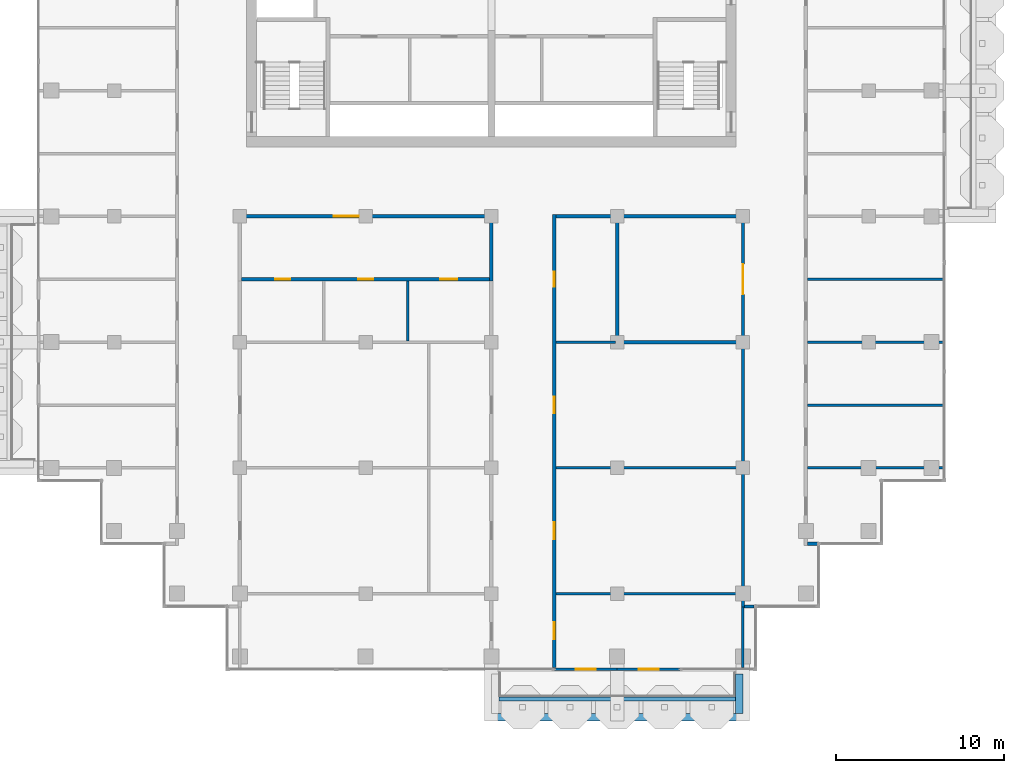
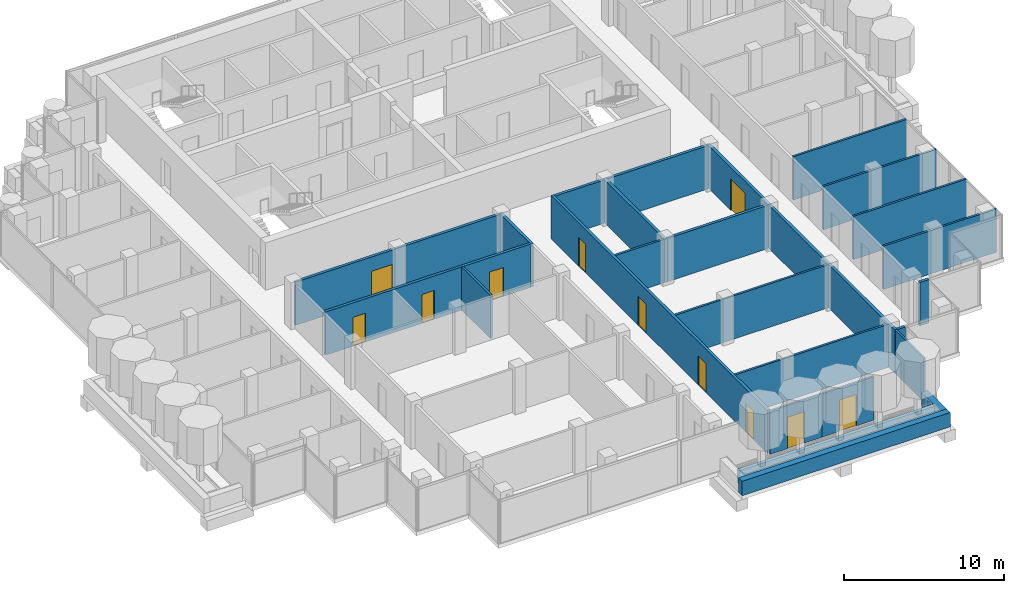
# One storey, part 12 of 19: 26 walls, 11 doors, 11 openings.
"""IFC4 building model written with IfcOpenShell, lengths in metres."""

from ifc_helpers import new_model, si_unit, direction, frame, frame_2d, origin, place, context, subcontext, project, spatial, rectangle, extrude, material, layer, layer_set, type_object, element, fill, save


model = new_model("IFC4")

# Units and contexts
model_context = context("Model", 3, precision=1e-05, world=origin(), true_north=direction((0.0, 1.0)))
body_context = subcontext(model_context, "Body", "Model", "MODEL_VIEW")
ifc_project = project(units=[si_unit("LENGTHUNIT", "METRE"), si_unit("AREAUNIT", "SQUARE_METRE"), si_unit("VOLUMEUNIT", "CUBIC_METRE"), si_unit("PLANEANGLEUNIT", "RADIAN"), si_unit("MASSUNIT", "GRAM", prefix="KILO")], contexts=[model_context])

# Site, building, storey
site_placement = place(None, origin())
site = spatial("IfcSite", under=ifc_project, at=site_placement, CompositionType="ELEMENT")
building_placement = place(site_placement, origin())
building = spatial("IfcBuilding", under=site, at=building_placement, Name="Pilkhan Gate Tower", CompositionType="ELEMENT")
storey_placement = place(building_placement, frame((0.0, 0.0, 246.300048828125)))
storey = spatial("IfcBuildingStorey", under=building, at=storey_placement, Name="L64", CompositionType="ELEMENT", Elevation=246.300048828125)

# Walls
ifc_material_1 = material(Name="Concrete C40/50", Category="concrete")
ifc_layer_1 = layer(ifc_material_1, 0.25)
ifc_layer_set_1 = layer_set([ifc_layer_1], Name="Balcony planter BP250")
wall_type_1 = type_object("IfcWallType", Name="Balcony planter BP250", PredefinedType="USERDEFINED", material=ifc_layer_set_1)
wall_1_placement = place(storey_placement, frame((75.449951171875, 38.72509765625, 0.0), z_axis=(0.0, 0.0, 1.0), x_axis=(1.0, 0.0, 0.0)))
element("IfcWall", 1, at=wall_1_placement, inside=storey, type_object=wall_type_1, Name="Balcony planter L64 S", ObjectType="BALCONY PLANTER", PredefinedType="USERDEFINED", context=body_context, shape_type="SweptSolid", body=[
    extrude(rectangle(XDim=14.10009765625, YDim=0.25, at=frame_2d((7.050048828125, 0.0))), origin(), (0.0, 0.0, 1.0), 1.0),
])
ifc_material_2 = material(Name="Board-marked Concrete C40/50", Category="concrete")
ifc_layer_2 = layer(ifc_material_2, 0.449951171875)
ifc_layer_set_2 = layer_set([ifc_layer_2], Name="Balcony planter lip BL450")
wall_type_2 = type_object("IfcWallType", Name="Balcony planter lip BL450", PredefinedType="USERDEFINED", material=ifc_layer_set_2)
wall_2_placement = place(storey_placement, frame((75.0, 37.625, 0.0), z_axis=(0.0, 0.0, 1.0), x_axis=(1.0, 0.0, 0.0)))
element("IfcWall", 2, at=wall_2_placement, inside=storey, type_object=wall_type_2, Name="Balcony planter L64 S", ObjectType="BALCONY PLANTER", PredefinedType="USERDEFINED", context=body_context, shape_type="SweptSolid", body=[
    extrude(rectangle(XDim=15.0, YDim=0.449951171875, at=frame_2d((7.5, 0.0))), origin(), (0.0, 0.0, 1.0), 1.099853515625),
])
wall_3_placement = place(storey_placement, frame((89.77490234375, 40.199951171875, 0.0), z_axis=(0.0, 0.0, 1.0), x_axis=(0.0, -1.0, 0.0)))
element("IfcWall", 3, at=wall_3_placement, inside=storey, type_object=wall_type_2, Name="Balcony planter L64 S", ObjectType="BALCONY PLANTER", PredefinedType="USERDEFINED", context=body_context, shape_type="SweptSolid", body=[
    extrude(rectangle(XDim=2.349853515625, YDim=0.449951171875, at=frame_2d((1.1748046875, 0.0))), origin(), (0.0, 0.0, 1.0), 1.099853515625),
])
ifc_material_3 = material(Name="Dense blockwork", Category="masonry")
ifc_layer_3 = layer(ifc_material_3, 0.199951171875)
ifc_layer_set_3 = layer_set([ifc_layer_3], Name="Corridor wall FW200")
wall_type_3 = type_object("IfcWallType", Name="Corridor wall FW200", PredefinedType="PARTITIONING", material=ifc_layer_set_3)
wall_4_placement = place(storey_placement, frame((90.10009765625, 44.235107421875, 0.0), z_axis=(0.0, 0.0, 1.0), x_axis=(1.0, 0.0, 0.0)))
element("IfcWall", 4, at=wall_4_placement, inside=storey, type_object=wall_type_3, Name="Partition L64", PredefinedType="PARTITIONING", context=body_context, shape_type="SweptSolid", body=[
    extrude(rectangle(XDim=0.544921875, YDim=0.199951171875, at=frame_2d((0.2724609375, 0.0))), origin(), (0.0, 0.0, 1.0), 3.300048828125),
])
wall_5_placement = place(storey_placement, frame((93.85009765625, 47.969970703125, 0.0), z_axis=(0.0, 0.0, 1.0), x_axis=(1.0, 0.0, 0.0)))
element("IfcWall", 5, at=wall_5_placement, inside=storey, type_object=wall_type_3, Name="Partition L64", PredefinedType="PARTITIONING", context=body_context, shape_type="SweptSolid", body=[
    extrude(rectangle(XDim=0.664794921875, YDim=0.199951171875, at=frame_2d((0.33251953125, 0.0))), origin(), (0.0, 0.0, 1.0), 3.300048828125),
])
wall_6_placement = place(storey_placement, frame((78.85009765625, 67.5, 0.0), z_axis=(0.0, 0.0, 1.0), x_axis=(1.0, 0.0, 0.0)))
element("IfcWall", 6, at=wall_6_placement, inside=storey, type_object=wall_type_3, Name="Partition L64", PredefinedType="PARTITIONING", context=body_context, shape_type="SweptSolid", body=[
    extrude(rectangle(XDim=3.5498046875, YDim=0.199951171875, at=frame_2d((1.77490234375, 0.0))), origin(), (0.0, 0.0, 1.0), 3.300048828125),
])

# Wall, openings, doors
wall_7_placement = place(storey_placement, frame((78.75, 40.5849609375, 0.0), z_axis=(0.0, 0.0, 1.0), x_axis=(0.0, 1.0, 0.0)))
wall_7 = element("IfcWall", 7, at=wall_7_placement, inside=storey, type_object=wall_type_3, Name="Partition L64", PredefinedType="PARTITIONING", context=body_context, shape_type="SweptSolid", body=[
    extrude(rectangle(XDim=27.01513671875, YDim=0.199951171875, at=frame_2d((13.507568359375, 0.0))), origin(), (0.0, 0.0, 1.0), 3.300048828125),
])
opening_1_placement = place(wall_7_placement, frame((1.699951171875, 0.0, 0.0)))
opening_1 = element("IfcOpeningElement", 8, at=opening_1_placement, cuts=wall_7, Name="Opening L64-21", PredefinedType="OPENING", context=body_context, shape_type="SweptSolid", body=[
    extrude(rectangle(XDim=1.0, YDim=2.199951171875, at=frame_2d((0.5, 1.10009765625))), frame((0.0, 0.10986328125, 0.0), z_axis=(0.0, -1.0, 0.0), x_axis=(1.0, 0.0, 0.0)), (0.0, 0.0, 1.0), 0.219970703125),
])
opening_2_placement = place(wall_7_placement, frame((7.6650390625, 0.0, 0.0)))
opening_2 = element("IfcOpeningElement", 9, at=opening_2_placement, cuts=wall_7, Name="Opening L64-22", PredefinedType="OPENING", context=body_context, shape_type="SweptSolid", body=[
    extrude(rectangle(XDim=1.0, YDim=2.199951171875, at=frame_2d((0.5, 1.10009765625))), frame((0.0, 0.10986328125, 0.0), z_axis=(0.0, -1.0, 0.0), x_axis=(1.0, 0.0, 0.0)), (0.0, 0.0, 1.0), 0.219970703125),
])
opening_3_placement = place(wall_7_placement, frame((15.1650390625, 0.0, 0.0)))
opening_3 = element("IfcOpeningElement", 10, at=opening_3_placement, cuts=wall_7, Name="Opening L64-23", PredefinedType="OPENING", context=body_context, shape_type="SweptSolid", body=[
    extrude(rectangle(XDim=1.0, YDim=2.199951171875, at=frame_2d((0.5, 1.10009765625))), frame((0.0, 0.10986328125, 0.0), z_axis=(0.0, -1.0, 0.0), x_axis=(1.0, 0.0, 0.0)), (0.0, 0.0, 1.0), 0.219970703125),
])
opening_4_placement = place(wall_7_placement, frame((22.715087890625, 0.0, 0.0)))
opening_4 = element("IfcOpeningElement", 11, at=opening_4_placement, cuts=wall_7, Name="Opening L64-24", PredefinedType="OPENING", context=body_context, shape_type="SweptSolid", body=[
    extrude(rectangle(XDim=0.89990234375, YDim=2.199951171875, at=frame_2d((0.449951171875, 1.10009765625))), frame((0.0, 0.10986328125, 0.0), z_axis=(0.0, -1.0, 0.0), x_axis=(1.0, 0.0, 0.0)), (0.0, 0.0, 1.0), 0.219970703125),
])
ifc_material_4 = material(Name="Timber flush door, 30 minute fire resisting", Category="wood")
door_type_1 = type_object("IfcDoorType", Name="Room door D03 1000x2200", OperationType="SINGLE_SWING_LEFT", PredefinedType="DOOR", material=ifc_material_4)
door_1_placement = place(opening_1_placement, origin())
door_1 = element("IfcDoor", 12, at=door_1_placement, inside=storey, type_object=door_type_1, Name="Room door", OperationType="SINGLE_SWING_RIGHT", OverallHeight=2.199951171875, OverallWidth=1.0, PredefinedType="DOOR", context=body_context, shape_type="SweptSolid", body=[
    extrude(rectangle(XDim=1.0, YDim=2.199951171875, at=frame_2d((0.5, 1.10009765625))), frame((0.0, 0.02490234375, 0.0), z_axis=(0.0, -1.0, 0.0), x_axis=(1.0, 0.0, 0.0)), (0.0, 0.0, 1.0), 0.050048828125),
])
fill(opening_1, door_1)
door_2_placement = place(opening_2_placement, origin())
door_2 = element("IfcDoor", 13, at=door_2_placement, inside=storey, type_object=door_type_1, Name="Room door", OperationType="SINGLE_SWING_LEFT", OverallHeight=2.199951171875, OverallWidth=1.0, PredefinedType="DOOR", context=body_context, shape_type="SweptSolid", body=[
    extrude(rectangle(XDim=1.0, YDim=2.199951171875, at=frame_2d((0.5, 1.10009765625))), frame((0.0, 0.02490234375, 0.0), z_axis=(0.0, -1.0, 0.0), x_axis=(1.0, 0.0, 0.0)), (0.0, 0.0, 1.0), 0.050048828125),
])
fill(opening_2, door_2)
door_3_placement = place(opening_3_placement, origin())
door_3 = element("IfcDoor", 14, at=door_3_placement, inside=storey, type_object=door_type_1, Name="Room door", OperationType="SINGLE_SWING_LEFT", OverallHeight=2.199951171875, OverallWidth=1.0, PredefinedType="DOOR", context=body_context, shape_type="SweptSolid", body=[
    extrude(rectangle(XDim=1.0, YDim=2.199951171875, at=frame_2d((0.5, 1.10009765625))), frame((0.0, 0.02490234375, 0.0), z_axis=(0.0, -1.0, 0.0), x_axis=(1.0, 0.0, 0.0)), (0.0, 0.0, 1.0), 0.050048828125),
])
fill(opening_3, door_3)
ifc_material_5 = material(Name="Timber flush door, 60 minute fire resisting, self-closing", Category="wood")
door_type_2 = type_object("IfcDoorType", Name="Store door D05 900x2200", OperationType="SINGLE_SWING_LEFT", PredefinedType="DOOR", material=ifc_material_5)
door_4_placement = place(opening_4_placement, origin())
door_4 = element("IfcDoor", 15, at=door_4_placement, inside=storey, type_object=door_type_2, Name="Store door", OperationType="SINGLE_SWING_RIGHT", OverallHeight=2.199951171875, OverallWidth=0.89990234375, PredefinedType="DOOR", context=body_context, shape_type="SweptSolid", body=[
    extrude(rectangle(XDim=0.89990234375, YDim=2.199951171875, at=frame_2d((0.449951171875, 1.10009765625))), frame((0.0, 0.02490234375, 0.0), z_axis=(0.0, -1.0, 0.0), x_axis=(1.0, 0.0, 0.0)), (0.0, 0.0, 1.0), 0.050048828125),
])
fill(opening_4, door_4)

# Wall
wall_8_placement = place(storey_placement, frame((90.0, 44.135009765625, 0.0), z_axis=(0.0, 0.0, 1.0), x_axis=(0.0, 1.0, 0.0)))
element("IfcWall", 16, at=wall_8_placement, inside=storey, type_object=wall_type_3, Name="Partition L64", PredefinedType="PARTITIONING", context=body_context, shape_type="SweptSolid", body=[
    extrude(rectangle(XDim=15.864990234375, YDim=0.199951171875, at=frame_2d((7.9326171875, 0.0))), origin(), (0.0, 0.0, 1.0), 3.300048828125),
])

# Wall, opening, door
ifc_material_6 = material(Name="Pale anodised aluminium, clear laminated glazing", Category="aluminium")
ifc_layer_4 = layer(ifc_material_6, 0.14990234375)
ifc_layer_set_4 = layer_set([ifc_layer_4], Name="Facade infill wall IW150")
wall_type_4 = type_object("IfcWallType", Name="Facade infill wall IW150", PredefinedType="SOLIDWALL", material=ifc_layer_set_4)
wall_9_placement = place(storey_placement, frame((78.75, 40.5, 0.0), z_axis=(0.0, 0.0, 1.0), x_axis=(1.0, 0.0, 0.0)))
wall_9 = element("IfcWall", 17, at=wall_9_placement, inside=storey, type_object=wall_type_4, Name="Infill wall L64 S", PredefinedType="SOLIDWALL", context=body_context, shape_type="SweptSolid", body=[
    extrude(rectangle(XDim=3.75, YDim=0.14990234375, at=frame_2d((1.875, 0.0))), origin(), (0.0, 0.0, 1.0), 3.300048828125),
])
opening_5_placement = place(wall_9_placement, frame((1.27490234375, 0.0, 0.0)))
opening_5 = element("IfcOpeningElement", 18, at=opening_5_placement, cuts=wall_9, Name="Opening D1", PredefinedType="OPENING", context=body_context, shape_type="SweptSolid", body=[
    extrude(rectangle(XDim=1.199951171875, YDim=2.39990234375, at=frame_2d((0.60009765625, 1.199951171875))), frame((0.0, 0.0849609375, 0.0), z_axis=(0.0, -1.0, 0.0), x_axis=(1.0, 0.0, 0.0)), (0.0, 0.0, 1.0), 0.169921875),
])
ifc_material_7 = material(Name="Pale anodised aluminium, clear glazing", Category="aluminium")
door_type_3 = type_object("IfcDoorType", Name="Balcony door D1 1200x2400", OperationType="SINGLE_SWING_LEFT", PredefinedType="DOOR", material=ifc_material_7)
door_5_placement = place(opening_5_placement, origin())
door_5 = element("IfcDoor", 19, at=door_5_placement, inside=storey, type_object=door_type_3, Name="Balcony door L64", OperationType="SINGLE_SWING_LEFT", OverallHeight=2.39990234375, OverallWidth=1.199951171875, PredefinedType="DOOR", context=body_context, shape_type="SweptSolid", body=[
    extrude(rectangle(XDim=1.199951171875, YDim=2.39990234375, at=frame_2d((0.60009765625, 1.199951171875))), frame((0.0, 0.02490234375, 0.0), z_axis=(0.0, -1.0, 0.0), x_axis=(1.0, 0.0, 0.0)), (0.0, 0.0, 1.0), 0.050048828125),
])
fill(opening_5, door_5)

wall_10_placement = place(storey_placement, frame((82.5, 40.5, 0.0), z_axis=(0.0, 0.0, 1.0), x_axis=(1.0, 0.0, 0.0)))
wall_10 = element("IfcWall", 20, at=wall_10_placement, inside=storey, type_object=wall_type_4, Name="Infill wall L64 S", PredefinedType="SOLIDWALL", context=body_context, shape_type="SweptSolid", body=[
    extrude(rectangle(XDim=3.75, YDim=0.14990234375, at=frame_2d((1.875, 0.0))), origin(), (0.0, 0.0, 1.0), 3.300048828125),
])
opening_6_placement = place(wall_10_placement, frame((1.27490234375, 0.0, 0.0)))
opening_6 = element("IfcOpeningElement", 21, at=opening_6_placement, cuts=wall_10, Name="Opening D1", PredefinedType="OPENING", context=body_context, shape_type="SweptSolid", body=[
    extrude(rectangle(XDim=1.199951171875, YDim=2.39990234375, at=frame_2d((0.60009765625, 1.199951171875))), frame((0.0, 0.0849609375, 0.0), z_axis=(0.0, -1.0, 0.0), x_axis=(1.0, 0.0, 0.0)), (0.0, 0.0, 1.0), 0.169921875),
])
door_6_placement = place(opening_6_placement, origin())
door_6 = element("IfcDoor", 22, at=door_6_placement, inside=storey, type_object=door_type_3, Name="Balcony door L64", OperationType="SINGLE_SWING_LEFT", OverallHeight=2.39990234375, OverallWidth=1.199951171875, PredefinedType="DOOR", context=body_context, shape_type="SweptSolid", body=[
    extrude(rectangle(XDim=1.199951171875, YDim=2.39990234375, at=frame_2d((0.60009765625, 1.199951171875))), frame((0.0, 0.02490234375, 0.0), z_axis=(0.0, -1.0, 0.0), x_axis=(1.0, 0.0, 0.0)), (0.0, 0.0, 1.0), 0.050048828125),
])
fill(opening_6, door_6)

# Wall
ifc_layer_5 = layer(ifc_material_3, 0.199951171875)
ifc_layer_set_5 = layer_set([ifc_layer_5], Name="Lobby wall LW200")
wall_type_5 = type_object("IfcWallType", Name="Lobby wall LW200", PredefinedType="PARTITIONING", material=ifc_layer_set_5)
wall_11_placement = place(storey_placement, frame((82.60009765625, 60.0, 0.0), z_axis=(0.0, 0.0, 1.0), x_axis=(1.0, 0.0, 0.0)))
element("IfcWall", 23, at=wall_11_placement, inside=storey, type_object=wall_type_5, Name="Partition L64", PredefinedType="PARTITIONING", context=body_context, shape_type="SweptSolid", body=[
    extrude(rectangle(XDim=7.2998046875, YDim=0.199951171875, at=frame_2d((3.64990234375, 0.0))), origin(), (0.0, 0.0, 1.0), 3.300048828125),
])

# Wall, openings, doors
wall_12_placement = place(storey_placement, frame((60.10009765625, 63.75, 0.0), z_axis=(0.0, 0.0, 1.0), x_axis=(1.0, 0.0, 0.0)))
wall_12 = element("IfcWall", 24, at=wall_12_placement, inside=storey, type_object=wall_type_5, Name="Partition L64", PredefinedType="PARTITIONING", context=body_context, shape_type="SweptSolid", body=[
    extrude(rectangle(XDim=14.7998046875, YDim=0.199951171875, at=frame_2d((7.39990234375, 0.0))), origin(), (0.0, 0.0, 1.0), 3.300048828125),
])
opening_7_placement = place(wall_12_placement, frame((2.0, 0.0, 0.0)))
opening_7 = element("IfcOpeningElement", 25, at=opening_7_placement, cuts=wall_12, Name="Opening L64-13", PredefinedType="OPENING", context=body_context, shape_type="SweptSolid", body=[
    extrude(rectangle(XDim=0.89990234375, YDim=2.199951171875, at=frame_2d((0.449951171875, 1.10009765625))), frame((0.0, 0.10986328125, 0.0), z_axis=(0.0, -1.0, 0.0), x_axis=(1.0, 0.0, 0.0)), (0.0, 0.0, 1.0), 0.219970703125),
])
opening_8_placement = place(wall_12_placement, frame((6.949951171875, 0.0, 0.0)))
opening_8 = element("IfcOpeningElement", 26, at=opening_8_placement, cuts=wall_12, Name="Opening L64-14", PredefinedType="OPENING", context=body_context, shape_type="SweptSolid", body=[
    extrude(rectangle(XDim=0.89990234375, YDim=2.199951171875, at=frame_2d((0.449951171875, 1.10009765625))), frame((0.0, 0.10986328125, 0.0), z_axis=(0.0, -1.0, 0.0), x_axis=(1.0, 0.0, 0.0)), (0.0, 0.0, 1.0), 0.219970703125),
])
opening_9_placement = place(wall_12_placement, frame((11.85009765625, 0.0, 0.0)))
opening_9 = element("IfcOpeningElement", 27, at=opening_9_placement, cuts=wall_12, Name="Opening L64-15", PredefinedType="OPENING", context=body_context, shape_type="SweptSolid", body=[
    extrude(rectangle(XDim=1.0, YDim=2.199951171875, at=frame_2d((0.5, 1.10009765625))), frame((0.0, 0.10986328125, 0.0), z_axis=(0.0, -1.0, 0.0), x_axis=(1.0, 0.0, 0.0)), (0.0, 0.0, 1.0), 0.219970703125),
])
ifc_material_8 = material(Name="Timber flush door, outward opening, 30 minute fire resisting", Category="wood")
door_type_4 = type_object("IfcDoorType", Name="Accessible toilet door D07 1000x2200", OperationType="SINGLE_SWING_LEFT", PredefinedType="DOOR", material=ifc_material_8)
door_7_placement = place(opening_9_placement, origin())
door_7 = element("IfcDoor", 28, at=door_7_placement, inside=storey, type_object=door_type_4, Name="Accessible toilet door", OperationType="SINGLE_SWING_RIGHT", OverallHeight=2.199951171875, OverallWidth=1.0, PredefinedType="DOOR", context=body_context, shape_type="SweptSolid", body=[
    extrude(rectangle(XDim=1.0, YDim=2.199951171875, at=frame_2d((0.5, 1.10009765625))), frame((0.0, 0.02490234375, 0.0), z_axis=(0.0, -1.0, 0.0), x_axis=(1.0, 0.0, 0.0)), (0.0, 0.0, 1.0), 0.050048828125),
])
fill(opening_9, door_7)
door_type_5 = type_object("IfcDoorType", Name="Toilet door D06 900x2200", OperationType="SINGLE_SWING_LEFT", PredefinedType="DOOR", material=ifc_material_4)
door_8_placement = place(opening_7_placement, origin())
door_8 = element("IfcDoor", 29, at=door_8_placement, inside=storey, type_object=door_type_5, Name="Toilet door", OperationType="SINGLE_SWING_LEFT", OverallHeight=2.199951171875, OverallWidth=0.89990234375, PredefinedType="DOOR", context=body_context, shape_type="SweptSolid", body=[
    extrude(rectangle(XDim=0.89990234375, YDim=2.199951171875, at=frame_2d((0.449951171875, 1.10009765625))), frame((0.0, 0.02490234375, 0.0), z_axis=(0.0, -1.0, 0.0), x_axis=(1.0, 0.0, 0.0)), (0.0, 0.0, 1.0), 0.050048828125),
])
fill(opening_7, door_8)
door_9_placement = place(opening_8_placement, origin())
door_9 = element("IfcDoor", 30, at=door_9_placement, inside=storey, type_object=door_type_5, Name="Toilet door", OperationType="SINGLE_SWING_RIGHT", OverallHeight=2.199951171875, OverallWidth=0.89990234375, PredefinedType="DOOR", context=body_context, shape_type="SweptSolid", body=[
    extrude(rectangle(XDim=0.89990234375, YDim=2.199951171875, at=frame_2d((0.449951171875, 1.10009765625))), frame((0.0, 0.02490234375, 0.0), z_axis=(0.0, -1.0, 0.0), x_axis=(1.0, 0.0, 0.0)), (0.0, 0.0, 1.0), 0.050048828125),
])
fill(opening_8, door_9)

# Wall, opening, door
wall_13_placement = place(storey_placement, frame((60.10009765625, 67.5, 0.0), z_axis=(0.0, 0.0, 1.0), x_axis=(1.0, 0.0, 0.0)))
wall_13 = element("IfcWall", 31, at=wall_13_placement, inside=storey, type_object=wall_type_5, Name="Partition L64", PredefinedType="PARTITIONING", context=body_context, shape_type="SweptSolid", body=[
    extrude(rectangle(XDim=14.7998046875, YDim=0.199951171875, at=frame_2d((7.39990234375, 0.0))), origin(), (0.0, 0.0, 1.0), 3.300048828125),
])
opening_10_placement = place(wall_13_placement, frame((5.5, 0.0, 0.0)))
opening_10 = element("IfcOpeningElement", 32, at=opening_10_placement, cuts=wall_13, Name="Opening L64-12", PredefinedType="OPENING", context=body_context, shape_type="SweptSolid", body=[
    extrude(rectangle(XDim=1.5, YDim=2.199951171875, at=frame_2d((0.75, 1.10009765625))), frame((0.0, 0.10986328125, 0.0), z_axis=(0.0, -1.0, 0.0), x_axis=(1.0, 0.0, 0.0)), (0.0, 0.0, 1.0), 0.219970703125),
])
ifc_material_9 = material(Name="Steel framed glazed door, 60 minute fire resisting", Category="steel")
door_type_6 = type_object("IfcDoorType", Name="Lobby door D09 1500x2200", OperationType="DOUBLE_DOOR_SINGLE_SWING", PredefinedType="DOOR", material=ifc_material_9)
door_10_placement = place(opening_10_placement, origin())
door_10 = element("IfcDoor", 33, at=door_10_placement, inside=storey, type_object=door_type_6, Name="Lobby door", OperationType="DOUBLE_DOOR_SINGLE_SWING", OverallHeight=2.199951171875, OverallWidth=1.5, PredefinedType="DOOR", context=body_context, shape_type="SweptSolid", body=[
    extrude(rectangle(XDim=1.5, YDim=2.199951171875, at=frame_2d((0.75, 1.10009765625))), frame((0.0, 0.02490234375, 0.0), z_axis=(0.0, -1.0, 0.0), x_axis=(1.0, 0.0, 0.0)), (0.0, 0.0, 1.0), 0.050048828125),
])
fill(opening_10, door_10)

# Walls
wall_14_placement = place(storey_placement, frame((82.60009765625, 67.5, 0.0), z_axis=(0.0, 0.0, 1.0), x_axis=(1.0, 0.0, 0.0)))
element("IfcWall", 34, at=wall_14_placement, inside=storey, type_object=wall_type_5, Name="Partition L64", PredefinedType="PARTITIONING", context=body_context, shape_type="SweptSolid", body=[
    extrude(rectangle(XDim=7.2998046875, YDim=0.199951171875, at=frame_2d((3.64990234375, 0.0))), origin(), (0.0, 0.0, 1.0), 3.300048828125),
])
wall_15_placement = place(storey_placement, frame((75.0, 63.64990234375, 0.0), z_axis=(0.0, 0.0, 1.0), x_axis=(0.0, 1.0, 0.0)))
element("IfcWall", 35, at=wall_15_placement, inside=storey, type_object=wall_type_5, Name="Partition L64", PredefinedType="PARTITIONING", context=body_context, shape_type="SweptSolid", body=[
    extrude(rectangle(XDim=3.9501953125, YDim=0.199951171875, at=frame_2d((1.97509765625, 0.0))), origin(), (0.0, 0.0, 1.0), 3.300048828125),
])
wall_16_placement = place(storey_placement, frame((82.5, 59.89990234375, 0.0), z_axis=(0.0, 0.0, 1.0), x_axis=(0.0, 1.0, 0.0)))
element("IfcWall", 36, at=wall_16_placement, inside=storey, type_object=wall_type_5, Name="Partition L64", PredefinedType="PARTITIONING", context=body_context, shape_type="SweptSolid", body=[
    extrude(rectangle(XDim=7.7001953125, YDim=0.199951171875, at=frame_2d((3.85009765625, 0.0))), origin(), (0.0, 0.0, 1.0), 3.300048828125),
])

# Wall, opening, door
wall_17_placement = place(storey_placement, frame((90.0, 59.89990234375, 0.0), z_axis=(0.0, 0.0, 1.0), x_axis=(0.0, 1.0, 0.0)))
wall_17 = element("IfcWall", 37, at=wall_17_placement, inside=storey, type_object=wall_type_5, Name="Partition L64", PredefinedType="PARTITIONING", context=body_context, shape_type="SweptSolid", body=[
    extrude(rectangle(XDim=7.7001953125, YDim=0.199951171875, at=frame_2d((3.85009765625, 0.0))), origin(), (0.0, 0.0, 1.0), 3.300048828125),
])
opening_11_placement = place(wall_17_placement, frame((2.949951171875, 0.0, 0.0)))
opening_11 = element("IfcOpeningElement", 38, at=opening_11_placement, cuts=wall_17, Name="Opening L64-25", PredefinedType="OPENING", context=body_context, shape_type="SweptSolid", body=[
    extrude(rectangle(XDim=1.800048828125, YDim=2.39990234375, at=frame_2d((0.89990234375, 1.199951171875))), frame((0.0, 0.10986328125, 0.0), z_axis=(0.0, -1.0, 0.0), x_axis=(1.0, 0.0, 0.0)), (0.0, 0.0, 1.0), 0.219970703125),
])
ifc_material_10 = material(Name="Steel door, 120 minute fire resisting", Category="steel")
door_type_7 = type_object("IfcDoorType", Name="Plant room door D08 1800x2400", OperationType="DOUBLE_DOOR_SINGLE_SWING", PredefinedType="DOOR", material=ifc_material_10)
door_11_placement = place(opening_11_placement, origin())
door_11 = element("IfcDoor", 39, at=door_11_placement, inside=storey, type_object=door_type_7, Name="Plant room door", OperationType="DOUBLE_DOOR_SINGLE_SWING", OverallHeight=2.39990234375, OverallWidth=1.800048828125, PredefinedType="DOOR", context=body_context, shape_type="SweptSolid", body=[
    extrude(rectangle(XDim=1.800048828125, YDim=2.39990234375, at=frame_2d((0.89990234375, 1.199951171875))), frame((0.0, 0.02490234375, 0.0), z_axis=(0.0, -1.0, 0.0), x_axis=(1.0, 0.0, 0.0)), (0.0, 0.0, 1.0), 0.050048828125),
])
fill(opening_11, door_11)

# Walls
ifc_material_11 = material(Name="Blockwork partition, plastered both sides", Category="masonry")
ifc_layer_6 = layer(ifc_material_11, 0.14990234375)
ifc_layer_set_6 = layer_set([ifc_layer_6], Name="Partition PW150")
wall_type_6 = type_object("IfcWallType", Name="Partition PW150", PredefinedType="PARTITIONING", material=ifc_layer_set_6)
for number, where, z_axis, x_axis, name in (
    (40, (78.85009765625, 45.0, 0.0), (0.0, 0.0, 1.0), (1.0, 0.0, 0.0), "Partition L64"),
    (41, (78.85009765625, 52.5, 0.0), (0.0, 0.0, 1.0), (1.0, 0.0, 0.0), "Partition L64"),
):
    element("IfcWall", number, at=place(storey_placement, frame(where, z_axis=z_axis, x_axis=x_axis)), inside=storey, type_object=wall_type_6, Name=name, PredefinedType="PARTITIONING", context=body_context, shape_type="SweptSolid", body=[
        extrude(rectangle(XDim=11.0498046875, YDim=0.14990234375, at=frame_2d((5.52490234375, 0.0))), origin(), (0.0, 0.0, 1.0), 3.300048828125),
    ])
for number, where, z_axis, x_axis, name in (
    (42, (93.85009765625, 52.5, 0.0), (0.0, 0.0, 1.0), (1.0, 0.0, 0.0), "Partition L64"),
    (43, (93.85009765625, 56.25, 0.0), (0.0, 0.0, 1.0), (1.0, 0.0, 0.0), "Partition L64"),
):
    element("IfcWall", number, at=place(storey_placement, frame(where, z_axis=z_axis, x_axis=x_axis)), inside=storey, type_object=wall_type_6, Name=name, PredefinedType="PARTITIONING", context=body_context, shape_type="SweptSolid", body=[
        extrude(rectangle(XDim=8.164794921875, YDim=0.14990234375, at=frame_2d((4.08251953125, 0.0))), origin(), (0.0, 0.0, 1.0), 3.300048828125),
    ])
wall_18_placement = place(storey_placement, frame((78.85009765625, 60.0, 0.0), z_axis=(0.0, 0.0, 1.0), x_axis=(1.0, 0.0, 0.0)))
element("IfcWall", 44, at=wall_18_placement, inside=storey, type_object=wall_type_6, Name="Partition L64", PredefinedType="PARTITIONING", context=body_context, shape_type="SweptSolid", body=[
    extrude(rectangle(XDim=3.5498046875, YDim=0.14990234375, at=frame_2d((1.77490234375, 0.0))), origin(), (0.0, 0.0, 1.0), 3.300048828125),
])
for number, where, z_axis, x_axis, name in (
    (45, (93.85009765625, 60.0, 0.0), (0.0, 0.0, 1.0), (1.0, 0.0, 0.0), "Partition L64"),
    (46, (93.85009765625, 63.75, 0.0), (0.0, 0.0, 1.0), (1.0, 0.0, 0.0), "Partition L64"),
):
    element("IfcWall", number, at=place(storey_placement, frame(where, z_axis=z_axis, x_axis=x_axis)), inside=storey, type_object=wall_type_6, Name=name, PredefinedType="PARTITIONING", context=body_context, shape_type="SweptSolid", body=[
        extrude(rectangle(XDim=8.164794921875, YDim=0.14990234375, at=frame_2d((4.08251953125, 0.0))), origin(), (0.0, 0.0, 1.0), 3.300048828125),
    ])
wall_19_placement = place(storey_placement, frame((70.0, 60.074951171875, 0.0), z_axis=(0.0, 0.0, 1.0), x_axis=(0.0, 1.0, 0.0)))
element("IfcWall", 47, at=wall_19_placement, inside=storey, type_object=wall_type_6, Name="Partition L64", PredefinedType="PARTITIONING", context=body_context, shape_type="SweptSolid", body=[
    extrude(rectangle(XDim=3.574951171875, YDim=0.14990234375, at=frame_2d((1.78759765625, 0.0))), origin(), (0.0, 0.0, 1.0), 3.300048828125),
])
wall_20_placement = place(storey_placement, frame((90.0, 40.60498046875, 0.0), z_axis=(0.0, 0.0, 1.0), x_axis=(0.0, 1.0, 0.0)))
element("IfcWall", 48, at=wall_20_placement, inside=storey, type_object=wall_type_6, Name="Partition L64", PredefinedType="PARTITIONING", context=body_context, shape_type="SweptSolid", body=[
    extrude(rectangle(XDim=3.60009765625, YDim=0.14990234375, at=frame_2d((1.800048828125, 0.0))), origin(), (0.0, 0.0, 1.0), 3.300048828125),
])

save(model, "model.ifc")
